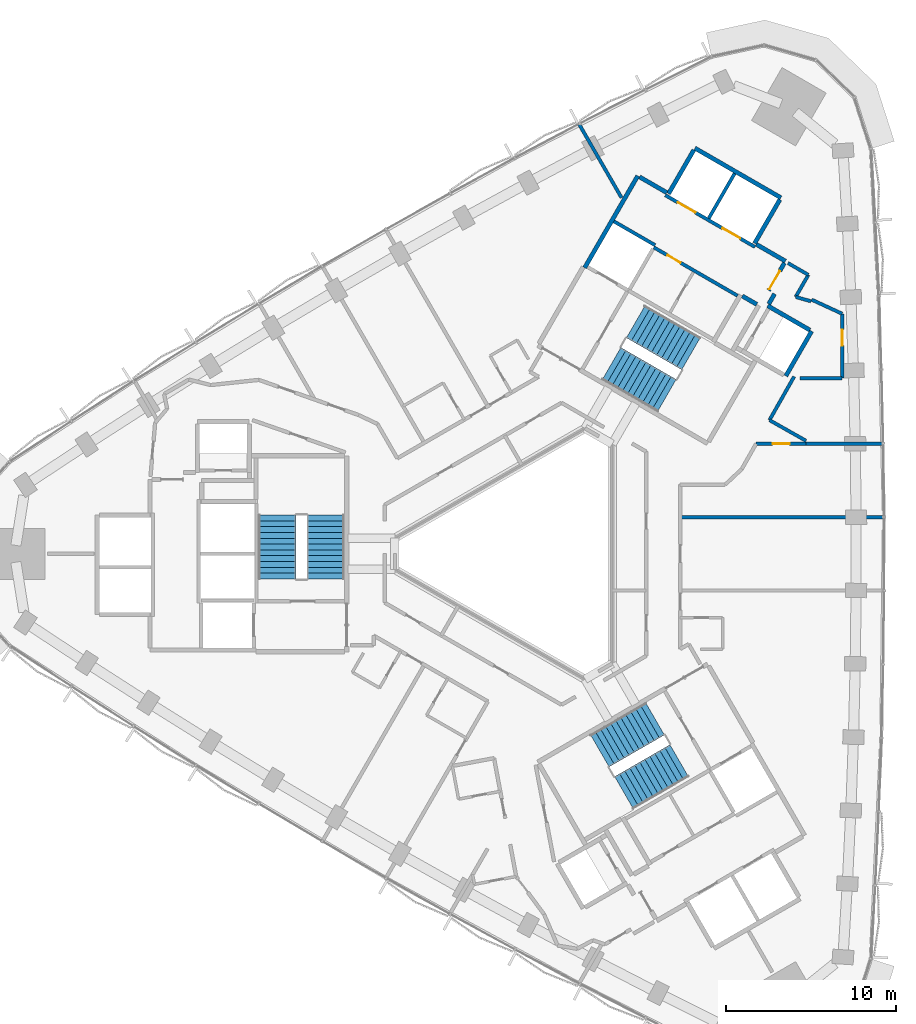
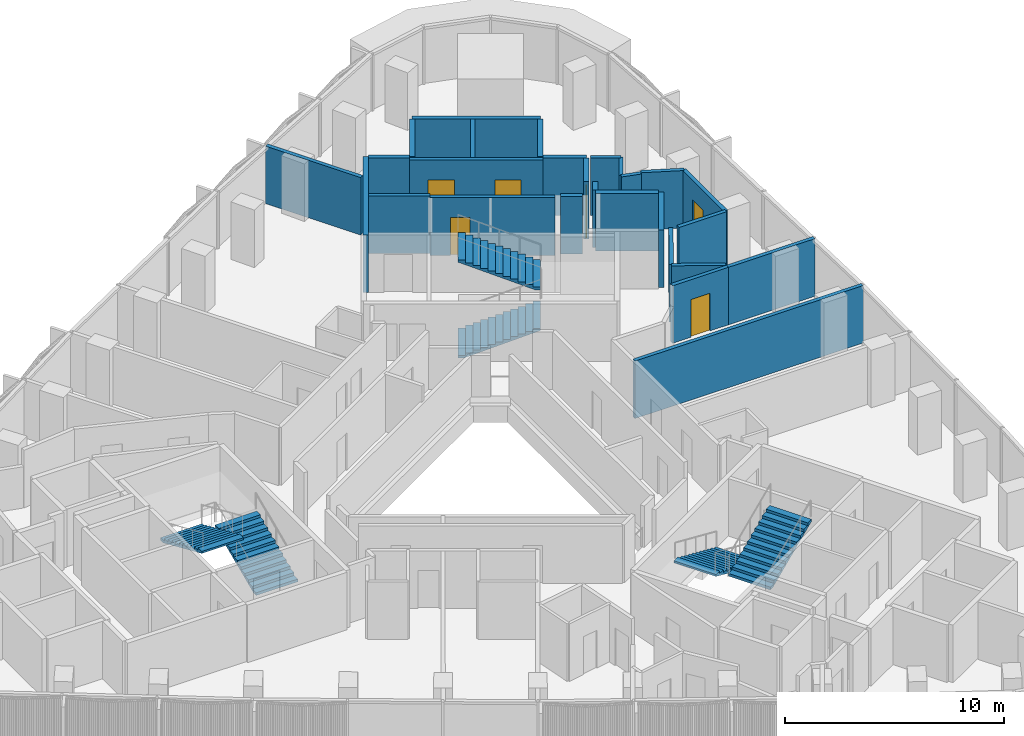
# One storey, part 12 of 15: 27 walls, 6 doors, 6 stair flights, 6 openings, 3 elements without a shape of their own.
"""IFC4 building model written with IfcOpenShell, lengths in metres."""

from ifc_helpers import new_model, si_unit, direction, frame, frame_2d, origin, place, context, subcontext, project, spatial, polyline, rectangle, outline, extrude, material, layer, layer_set, type_object, element, fill, aggregate, save


model = new_model("IFC4")

# Units and contexts
model_context = context("Model", 3, precision=1e-05, world=origin(), true_north=direction((0.0, 1.0)))
body_context = subcontext(model_context, "Body", "Model", "MODEL_VIEW")
ifc_project = project(units=[si_unit("LENGTHUNIT", "METRE"), si_unit("AREAUNIT", "SQUARE_METRE"), si_unit("VOLUMEUNIT", "CUBIC_METRE"), si_unit("PLANEANGLEUNIT", "RADIAN"), si_unit("MASSUNIT", "GRAM", prefix="KILO")], contexts=[model_context])

# Site, building, storey
site_placement = place(None, origin())
site = spatial("IfcSite", under=ifc_project, at=site_placement, CompositionType="ELEMENT")
building_placement = place(site_placement, origin())
building = spatial("IfcBuilding", under=site, at=building_placement, Name="Tamra Quay Hotel Tower", CompositionType="ELEMENT")
storey_placement = place(building_placement, frame((0.0, 0.0, 136.0)))
storey = spatial("IfcBuildingStorey", under=building, at=storey_placement, Name="L33", CompositionType="ELEMENT", Elevation=136.0)

# Wall, openings, doors
ifc_material_1 = material(Name="Concrete M70", Category="concrete")
ifc_layer_1 = layer(ifc_material_1, 0.199951171875)
ifc_layer_set_1 = layer_set([ifc_layer_1], Name="Concrete M70 core wall 200")
wall_type_1 = type_object("IfcWallType", Name="Concrete M70 core wall 200", PredefinedType="SHEAR", material=ifc_layer_set_1)
wall_1_placement = place(storey_placement, frame((13.209716796875, 18.07958984375, 0.0), z_axis=(0.0, 0.0, 1.0), x_axis=(-0.866030299012, 0.499991521122, 0.0)))
wall_1 = element("IfcWall", 1, at=wall_1_placement, inside=storey, type_object=wall_type_1, Name="CW2", PredefinedType="SHEAR", context=body_context, shape_type="SweptSolid", body=[
    extrude(rectangle(XDim=6.10009765625, YDim=0.199951171875, at=frame_2d((3.050048828125, 0.0))), origin(), (0.0, 0.0, 1.0), 3.199951171875),
])
opening_1_placement = place(wall_1_placement, frame((1.0, 0.0, 0.0)))
opening_1 = element("IfcOpeningElement", 2, at=opening_1_placement, cuts=wall_1, Name="Opening LD", PredefinedType="OPENING", context=body_context, shape_type="SweptSolid", body=[
    extrude(rectangle(XDim=1.199951171875, YDim=2.10009765625, at=frame_2d((0.60009765625, 1.050048828125))), frame((0.0, 0.10986328125, 0.0), z_axis=(0.0, -1.0, 0.0), x_axis=(1.0, 0.0, 0.0)), (0.0, 0.0, 1.0), 0.219970703125),
])
opening_2_placement = place(wall_1_placement, frame((4.05029296875, 0.0, 0.0)))
opening_2 = element("IfcOpeningElement", 3, at=opening_2_placement, cuts=wall_1, Name="Opening LD", PredefinedType="OPENING", context=body_context, shape_type="SweptSolid", body=[
    extrude(rectangle(XDim=1.199951171875, YDim=2.10009765625, at=frame_2d((0.60009765625, 1.050048828125))), frame((0.0, 0.10986328125, 0.0), z_axis=(0.0, -1.0, 0.0), x_axis=(1.0, 0.0, 0.0)), (0.0, 0.0, 1.0), 0.219970703125),
])
ifc_material_2 = material(Name="Landing door LD 1200 double door sliding")
door_type_1 = type_object("IfcDoorType", Name="Landing door LD 1200 double door sliding", OperationType="DOUBLE_DOOR_SLIDING", PredefinedType="DOOR", material=ifc_material_2)
door_1_placement = place(opening_1_placement, origin())
door_1 = element("IfcDoor", 4, at=door_1_placement, inside=storey, type_object=door_type_1, Name="LD", OperationType="DOUBLE_DOOR_SLIDING", OverallHeight=2.10009765625, OverallWidth=1.199951171875, PredefinedType="DOOR", context=body_context, shape_type="SweptSolid", body=[
    extrude(rectangle(XDim=1.199951171875, YDim=2.10009765625, at=frame_2d((0.60009765625, 1.050048828125))), frame((0.0, 0.02490234375, 0.0), z_axis=(0.0, -1.0, 0.0), x_axis=(1.0, 0.0, 0.0)), (0.0, 0.0, 1.0), 0.050048828125),
])
fill(opening_1, door_1)
door_2_placement = place(opening_2_placement, origin())
door_2 = element("IfcDoor", 5, at=door_2_placement, inside=storey, type_object=door_type_1, Name="LD", OperationType="DOUBLE_DOOR_SLIDING", OverallHeight=2.10009765625, OverallWidth=1.199951171875, PredefinedType="DOOR", context=body_context, shape_type="SweptSolid", body=[
    extrude(rectangle(XDim=1.199951171875, YDim=2.10009765625, at=frame_2d((0.60009765625, 1.050048828125))), frame((0.0, 0.02490234375, 0.0), z_axis=(0.0, -1.0, 0.0), x_axis=(1.0, 0.0, 0.0)), (0.0, 0.0, 1.0), 0.050048828125),
])
fill(opening_2, door_2)

# Wall, opening, door
wall_2_placement = place(storey_placement, frame((12.18505859375, 15.20703125, 0.0), z_axis=(0.0, 0.0, 1.0), x_axis=(-0.866020080793, 0.500009219579, 0.0)))
wall_2 = element("IfcWall", 6, at=wall_2_placement, inside=storey, type_object=wall_type_1, Name="CW2", PredefinedType="SHEAR", context=body_context, shape_type="SweptSolid", body=[
    extrude(rectangle(XDim=5.69921875, YDim=0.199951171875, at=frame_2d((2.849609375, 0.0))), origin(), (0.0, 0.0, 1.0), 3.199951171875),
])
opening_3_placement = place(wall_2_placement, frame((3.8740234375, 0.0, 0.0)))
opening_3 = element("IfcOpeningElement", 7, at=opening_3_placement, cuts=wall_2, Name="Opening D2", PredefinedType="OPENING", context=body_context, shape_type="SweptSolid", body=[
    extrude(rectangle(XDim=0.89990234375, YDim=2.10009765625, at=frame_2d((0.449951171875, 1.050048828125))), frame((0.0, 0.10986328125, 0.0), z_axis=(0.0, -1.0, 0.0), x_axis=(1.0, 0.0, 0.0)), (0.0, 0.0, 1.0), 0.219970703125),
])
ifc_material_3 = material(Name="Core door D2 900x2100 RH")
door_type_2 = type_object("IfcDoorType", Name="Core door D2 900x2100 RH", OperationType="NOTDEFINED", PredefinedType="DOOR", material=ifc_material_3)
door_3_placement = place(opening_3_placement, origin())
door_3 = element("IfcDoor", 8, at=door_3_placement, inside=storey, type_object=door_type_2, Name="D2", OperationType="SINGLE_SWING_RIGHT", OverallHeight=2.10009765625, OverallWidth=0.89990234375, PredefinedType="DOOR", context=body_context, shape_type="SweptSolid", body=[
    extrude(rectangle(XDim=0.89990234375, YDim=2.10009765625, at=frame_2d((0.449951171875, 1.050048828125))), frame((0.0, 0.02490234375, 0.0), z_axis=(0.0, -1.0, 0.0), x_axis=(1.0, 0.0, 0.0)), (0.0, 0.0, 1.0), 0.050048828125),
])
fill(opening_3, door_3)

# Walls
wall_3_placement = place(storey_placement, frame((10.48876953125, 19.76708984375, 0.0), z_axis=(0.0, 0.0, 1.0), x_axis=(0.499946628782, 0.866056215479, 0.0)))
element("IfcWall", 9, at=wall_3_placement, inside=storey, type_object=wall_type_1, Name="CW2", PredefinedType="SHEAR", context=body_context, shape_type="SweptSolid", body=[
    extrude(rectangle(XDim=3.048095703125, YDim=0.199951171875, at=frame_2d((1.52392578125, 0.0))), origin(), (0.0, 0.0, 1.0), 3.199951171875),
])
wall_4_placement = place(storey_placement, frame((4.900634765625, 19.5859375, 0.0), z_axis=(0.0, 0.0, 1.0), x_axis=(0.866022890907, -0.500004352405, 0.0)))
element("IfcWall", 10, at=wall_4_placement, inside=storey, type_object=wall_type_1, Name="CW2", PredefinedType="SHEAR", context=body_context, shape_type="SweptSolid", body=[
    extrude(rectangle(XDim=2.798828125, YDim=0.199951171875, at=frame_2d((1.3994140625, 0.0))), origin(), (0.0, 0.0, 1.0), 3.199951171875),
])
ifc_layer_2 = layer(ifc_material_1, 0.25)
ifc_layer_set_2 = layer_set([ifc_layer_2], Name="Concrete M70 core wall 250")
wall_type_2 = type_object("IfcWallType", Name="Concrete M70 core wall 250", PredefinedType="SHEAR", material=ifc_layer_set_2)
wall_5_placement = place(storey_placement, frame((3.178955078125, 16.856201171875, 0.0), z_axis=(0.0, 0.0, 1.0), x_axis=(0.500004234368, 0.866022959057, 0.0)))
element("IfcWall", 11, at=wall_5_placement, inside=storey, type_object=wall_type_2, Name="CW1", PredefinedType="SHEAR", context=body_context, shape_type="SweptSolid", body=[
    extrude(rectangle(XDim=6.25, YDim=0.25, at=frame_2d((3.125, 0.0))), origin(), (0.0, 0.0, 1.0), 3.199951171875),
])
wall_6_placement = place(storey_placement, frame((9.672607421875, 23.9033203125, 0.0), z_axis=(0.0, 0.0, 1.0), x_axis=(0.86603616409, -0.499981362141, 0.0)))
element("IfcWall", 12, at=wall_6_placement, inside=storey, type_object=wall_type_2, Name="CW1", PredefinedType="SHEAR", context=body_context, shape_type="SweptSolid", body=[
    extrude(rectangle(XDim=5.849853515625, YDim=0.25, at=frame_2d((2.9248046875, 0.0))), origin(), (0.0, 0.0, 1.0), 3.199951171875),
])
for number, where, z_axis, x_axis, name in (
    (13, (8.12255859375, 21.21875, 0.0), (0.0, 0.0, 1.0), (0.499987686533, 0.866032512851, 0.0), "CW1"),
    (14, (14.67626953125, 20.869873046875, 0.0), (0.0, 0.0, 1.0), (-0.499987686533, -0.866032512851, 0.0), "CW1"),
):
    element("IfcWall", number, at=place(storey_placement, frame(where, z_axis=z_axis, x_axis=x_axis)), inside=storey, type_object=wall_type_2, Name=name, PredefinedType="SHEAR", context=body_context, shape_type="SweptSolid", body=[
        extrude(rectangle(XDim=2.974609375, YDim=0.25, at=frame_2d((1.4873046875, 0.0))), origin(), (0.0, 0.0, 1.0), 3.199951171875),
    ])
wall_7_placement = place(storey_placement, frame((16.552001953125, 13.118896484375, 0.0), z_axis=(0.0, 0.0, 1.0), x_axis=(-0.499978833458, -0.866037623948, 0.0)))
element("IfcWall", 15, at=wall_7_placement, inside=storey, type_object=wall_type_2, Name="CW1", PredefinedType="SHEAR", context=body_context, shape_type="SweptSolid", body=[
    extrude(rectangle(XDim=3.050048828125, YDim=0.25, at=frame_2d((1.52490234375, 0.0))), origin(), (0.0, 0.0, 1.0), 3.199951171875),
])
wall_8_placement = place(storey_placement, frame((13.962646484375, 14.61376953125, 0.0), z_axis=(0.0, 0.0, 1.0), x_axis=(0.866042235819, -0.499970844928, 0.0)))
element("IfcWall", 16, at=wall_8_placement, inside=storey, type_object=wall_type_2, Name="CW1", PredefinedType="SHEAR", context=body_context, shape_type="SweptSolid", body=[
    extrude(rectangle(XDim=2.864501953125, YDim=0.25, at=frame_2d((1.43212890625, 0.0))), origin(), (0.0, 0.0, 1.0), 3.199951171875),
])
wall_9_placement = place(storey_placement, frame((13.29736328125, 18.23095703125, 0.0), z_axis=(0.0, 0.0, 1.0), x_axis=(0.866043531843, -0.499968599967, 0.0)))
element("IfcWall", 17, at=wall_9_placement, inside=storey, type_object=wall_type_2, Name="CW1", PredefinedType="SHEAR", context=body_context, shape_type="SweptSolid", body=[
    extrude(rectangle(XDim=1.974853515625, YDim=0.25, at=frame_2d((0.9873046875, 0.0))), origin(), (0.0, 0.0, 1.0), 3.199951171875),
])
wall_10_placement = place(storey_placement, frame((6.41259765625, 22.2060546875, 0.0), z_axis=(0.0, 0.0, 1.0), x_axis=(0.866016279763, -0.500015802937, 0.0)))
element("IfcWall", 18, at=wall_10_placement, inside=storey, type_object=wall_type_2, Name="CW1", PredefinedType="SHEAR", context=body_context, shape_type="SweptSolid", body=[
    extrude(rectangle(XDim=1.84912109375, YDim=0.25, at=frame_2d((0.924560546875, 0.0))), origin(), (0.0, 0.0, 1.0), 3.199951171875),
])

# Wall, opening, door
wall_11_placement = place(storey_placement, frame((14.94482421875, 17.13525390625, 0.0), z_axis=(0.0, 0.0, 1.0), x_axis=(-0.499983108224, -0.866035156036, 0.0)))
wall_11 = element("IfcWall", 19, at=wall_11_placement, inside=storey, type_object=wall_type_2, Name="CW1", PredefinedType="SHEAR", context=body_context, shape_type="SweptSolid", body=[
    extrude(rectangle(XDim=1.86474609375, YDim=0.25, at=frame_2d((0.932373046875, 0.0))), origin(), (0.0, 0.0, 1.0), 3.199951171875),
])
opening_4_placement = place(wall_11_placement, frame((0.53466796875, 0.0, 0.0)))
opening_4 = element("IfcOpeningElement", 20, at=opening_4_placement, cuts=wall_11, Name="Opening FD3", PredefinedType="OPENING", context=body_context, shape_type="SweptSolid", body=[
    extrude(rectangle(XDim=1.25, YDim=2.10009765625, at=frame_2d((0.625, 1.050048828125))), frame((0.0, 0.135009765625, 0.0), z_axis=(0.0, -1.0, 0.0), x_axis=(1.0, 0.0, 0.0)), (0.0, 0.0, 1.0), 0.27001953125),
])
ifc_material_4 = material(Name="Core door FD3 1250x2100 LH")
door_type_3 = type_object("IfcDoorType", Name="Core door FD3 1250x2100 LH", OperationType="NOTDEFINED", PredefinedType="DOOR", material=ifc_material_4)
door_4_placement = place(opening_4_placement, origin())
door_4 = element("IfcDoor", 21, at=door_4_placement, inside=storey, type_object=door_type_3, Name="FD3", OperationType="SINGLE_SWING_LEFT", OverallHeight=2.10009765625, OverallWidth=1.25, PredefinedType="DOOR", context=body_context, shape_type="SweptSolid", body=[
    extrude(rectangle(XDim=1.25, YDim=2.10009765625, at=frame_2d((0.625, 1.050048828125))), frame((0.0, 0.02490234375, 0.0), z_axis=(0.0, -1.0, 0.0), x_axis=(1.0, 0.0, 0.0)), (0.0, 0.0, 1.0), 0.050048828125),
])
fill(opening_4, door_4)

# Walls
wall_12_placement = place(storey_placement, frame((13.322021484375, 14.695068359375, 0.0), z_axis=(0.0, 0.0, 1.0), x_axis=(-0.866017078145, 0.500014420154, 0.0)))
element("IfcWall", 22, at=wall_12_placement, inside=storey, type_object=wall_type_2, Name="CW1", PredefinedType="SHEAR", context=body_context, shape_type="SweptSolid", body=[
    extrude(rectangle(XDim=0.9892578125, YDim=0.25, at=frame_2d((0.49462890625, 0.0))), origin(), (0.0, 0.0, 1.0), 3.199951171875),
])
wall_13_placement = place(storey_placement, frame((14.36767578125, 15.3154296875, 0.0), z_axis=(0.0, 0.0, 1.0), x_axis=(-0.499897359611, -0.866084655132, 0.0)))
element("IfcWall", 23, at=wall_13_placement, inside=storey, type_object=wall_type_2, Name="CW1", PredefinedType="SHEAR", context=body_context, shape_type="SweptSolid", body=[
    extrude(rectangle(XDim=0.684814453125, YDim=0.25, at=frame_2d((0.34228515625, 0.0))), origin(), (0.0, 0.0, 1.0), 3.199951171875),
])

# Wall, opening, door
ifc_material_5 = material(Name="Partition corridor wall")
ifc_layer_3 = layer(ifc_material_5, 0.199951171875)
ifc_layer_set_3 = layer_set([ifc_layer_3], Name="Partition corridor wall")
wall_type_3 = type_object("IfcWallType", Name="Partition corridor wall", PredefinedType="PARTITIONING", material=ifc_layer_set_3)
wall_14_placement = place(storey_placement, frame((13.279052734375, 6.48388671875, 0.0), z_axis=(0.0, 0.0, 1.0), x_axis=(1.0, 0.0, 0.0)))
wall_14 = element("IfcWall", 24, at=wall_14_placement, inside=storey, type_object=wall_type_3, Name="W-C", PredefinedType="PARTITIONING", context=body_context, shape_type="SweptSolid", body=[
    extrude(rectangle(XDim=2.94287109375, YDim=0.199951171875, at=frame_2d((1.471435546875, 0.0))), origin(), (0.0, 0.0, 1.0), 3.199951171875),
])
opening_5_placement = place(wall_14_placement, frame((0.971435546875, 0.0, 0.0)))
opening_5 = element("IfcOpeningElement", 25, at=opening_5_placement, cuts=wall_14, Name="Opening L33-D004", PredefinedType="OPENING", context=body_context, shape_type="SweptSolid", body=[
    extrude(rectangle(XDim=1.0, YDim=2.10009765625, at=frame_2d((0.5, 1.050048828125))), frame((0.0, 0.10986328125, 0.0), z_axis=(0.0, -1.0, 0.0), x_axis=(1.0, 0.0, 0.0)), (0.0, 0.0, 1.0), 0.219970703125),
])
ifc_material_6 = material(Name="Door guest room 1000x2100")
door_type_4 = type_object("IfcDoorType", Name="Door guest room 1000x2100", OperationType="NOTDEFINED", PredefinedType="DOOR", material=ifc_material_6)
door_5_placement = place(opening_5_placement, frame((1.0, 0.0, 0.0), z_axis=(0.0, 0.0, 1.0), x_axis=(-1.0, 0.0, 0.0)))
door_5 = element("IfcDoor", 26, at=door_5_placement, inside=storey, type_object=door_type_4, Name="L33-D004", OperationType="SINGLE_SWING_LEFT", OverallHeight=2.10009765625, OverallWidth=1.0, PredefinedType="DOOR", context=body_context, shape_type="SweptSolid", body=[
    extrude(rectangle(XDim=1.0, YDim=2.10009765625, at=frame_2d((0.5, 1.050048828125))), frame((0.0, 0.02490234375, 0.0), z_axis=(0.0, -1.0, 0.0), x_axis=(1.0, 0.0, 0.0)), (0.0, 0.0, 1.0), 0.050048828125),
])
fill(opening_5, door_5)

# Walls
wall_15_placement = place(storey_placement, frame((14.06591796875, 7.8759765625, 0.0), z_axis=(0.0, 0.0, 1.0), x_axis=(0.870423351516, -0.492303960105, 0.0)))
element("IfcWall", 27, at=wall_15_placement, inside=storey, type_object=wall_type_3, Name="W-C", PredefinedType="PARTITIONING", context=body_context, shape_type="SweptSolid", body=[
    extrude(rectangle(XDim=2.47802734375, YDim=0.199951171875, at=frame_2d((1.239013671875, 0.0))), origin(), (0.0, 0.0, 1.0), 3.199951171875),
])
wall_16_placement = place(storey_placement, frame((14.066162109375, 7.875732421875, 0.0), z_axis=(0.0, 0.0, 1.0), x_axis=(0.492812174249, 0.870135714077, 0.0)))
element("IfcWall", 28, at=wall_16_placement, inside=storey, type_object=wall_type_3, Name="W-C", PredefinedType="PARTITIONING", context=body_context, shape_type="SweptSolid", body=[
    extrude(rectangle(XDim=2.951171875, YDim=0.199951171875, at=frame_2d((1.4755859375, 0.0))), origin(), (0.0, 0.0, 1.0), 3.199951171875),
])
wall_17_placement = place(storey_placement, frame((15.155517578125, 17.130126953125, 0.0), z_axis=(0.0, 0.0, 1.0), x_axis=(0.865755062894, -0.500467952093, 0.0)))
element("IfcWall", 29, at=wall_17_placement, inside=storey, type_object=wall_type_3, Name="W-C", PredefinedType="PARTITIONING", context=body_context, shape_type="SweptSolid", body=[
    extrude(rectangle(XDim=1.388916015625, YDim=0.199951171875, at=frame_2d((0.6943359375, 0.0))), origin(), (0.0, 0.0, 1.0), 3.199951171875),
])
wall_18_placement = place(storey_placement, frame((15.60888671875, 15.135986328125, 0.0), z_axis=(0.0, 0.0, 1.0), x_axis=(0.499501622561, 0.866312950993, 0.0)))
element("IfcWall", 30, at=wall_18_placement, inside=storey, type_object=wall_type_3, Name="W-C", PredefinedType="PARTITIONING", context=body_context, shape_type="SweptSolid", body=[
    extrude(rectangle(XDim=1.49951171875, YDim=0.199951171875, at=frame_2d((0.749755859375, 0.0))), origin(), (0.0, 0.0, 1.0), 3.199951171875),
])
wall_19_placement = place(storey_placement, frame((15.60888671875, 15.135986328125, 0.0), z_axis=(0.0, 0.0, 1.0), x_axis=(0.961592512205, -0.274481038455, 0.0)))
element("IfcWall", 31, at=wall_19_placement, inside=storey, type_object=wall_type_3, Name="W-C", PredefinedType="PARTITIONING", context=body_context, shape_type="SweptSolid", body=[
    extrude(rectangle(XDim=0.940185546875, YDim=0.199951171875, at=frame_2d((0.47021484375, 0.0))), origin(), (0.0, 0.0, 1.0), 3.199951171875),
])
wall_20_placement = place(storey_placement, frame((15.85009765625, 10.35009765625, 0.0), z_axis=(0.0, 0.0, 1.0), x_axis=(1.0, 0.0, 0.0)))
element("IfcWall", 32, at=wall_20_placement, inside=storey, type_object=wall_type_3, Name="W-C", PredefinedType="PARTITIONING", context=body_context, shape_type="SweptSolid", body=[
    extrude(rectangle(XDim=2.5, YDim=0.199951171875, at=frame_2d((1.25, 0.0))), origin(), (0.0, 0.0, 1.0), 3.199951171875),
])
wall_21_placement = place(storey_placement, frame((16.555908203125, 14.971923828125, 0.0), z_axis=(0.0, 0.0, 1.0), x_axis=(0.907999158806, -0.418971989048, 0.0)))
element("IfcWall", 33, at=wall_21_placement, inside=storey, type_object=wall_type_3, Name="W-C", PredefinedType="PARTITIONING", context=body_context, shape_type="SweptSolid", body=[
    extrude(rectangle(XDim=1.97607421875, YDim=0.199951171875, at=frame_2d((0.988037109375, 0.0))), origin(), (0.0, 0.0, 1.0), 3.199951171875),
])

# Wall, opening, door
wall_22_placement = place(storey_placement, frame((18.35009765625, 10.35009765625, 0.0), z_axis=(0.0, 0.0, 1.0), x_axis=(0.0, 1.0, 0.0)))
wall_22 = element("IfcWall", 34, at=wall_22_placement, inside=storey, type_object=wall_type_3, Name="W-C", PredefinedType="PARTITIONING", context=body_context, shape_type="SweptSolid", body=[
    extrude(rectangle(XDim=3.7939453125, YDim=0.199951171875, at=frame_2d((1.89697265625, 0.0))), origin(), (0.0, 0.0, 1.0), 3.199951171875),
])
opening_6_placement = place(wall_22_placement, frame((1.910888671875, 0.0, 0.0)))
opening_6 = element("IfcOpeningElement", 35, at=opening_6_placement, cuts=wall_22, Name="Opening L33-D005", PredefinedType="OPENING", context=body_context, shape_type="SweptSolid", body=[
    extrude(rectangle(XDim=0.949951171875, YDim=2.10009765625, at=frame_2d((0.47509765625, 1.050048828125))), frame((0.0, 0.10986328125, 0.0), z_axis=(0.0, -1.0, 0.0), x_axis=(1.0, 0.0, 0.0)), (0.0, 0.0, 1.0), 0.219970703125),
])
ifc_material_7 = material(Name="Door guest room 950x2100")
door_type_5 = type_object("IfcDoorType", Name="Door guest room 950x2100", OperationType="NOTDEFINED", PredefinedType="DOOR", material=ifc_material_7)
door_6_placement = place(opening_6_placement, origin())
door_6 = element("IfcDoor", 36, at=door_6_placement, inside=storey, type_object=door_type_5, Name="L33-D005", OperationType="SINGLE_SWING_LEFT", OverallHeight=2.10009765625, OverallWidth=0.949951171875, PredefinedType="DOOR", context=body_context, shape_type="SweptSolid", body=[
    extrude(rectangle(XDim=0.949951171875, YDim=2.10009765625, at=frame_2d((0.47509765625, 1.050048828125))), frame((0.0, 0.02490234375, 0.0), z_axis=(0.0, -1.0, 0.0), x_axis=(1.0, 0.0, 0.0)), (0.0, 0.0, 1.0), 0.050048828125),
])
fill(opening_6, door_6)

# Walls
ifc_material_8 = material(Name="Partition party wall")
ifc_layer_4 = layer(ifc_material_8, 0.199951171875)
ifc_layer_set_4 = layer_set([ifc_layer_4], Name="Partition party wall")
wall_type_4 = type_object("IfcWallType", Name="Partition party wall", PredefinedType="PARTITIONING", material=ifc_layer_set_4)
wall_23_placement = place(storey_placement, frame((2.845458984375, 25.321044921875, 0.0), z_axis=(0.0, 0.0, 1.0), x_axis=(0.499730893997, -0.86618071647, 0.0)))
element("IfcWall", 37, at=wall_23_placement, inside=storey, type_object=wall_type_4, Name="W-P", PredefinedType="PARTITIONING", context=body_context, shape_type="SweptSolid", body=[
    extrude(rectangle(XDim=5.008056640625, YDim=0.199951171875, at=frame_2d((2.50390625, 0.0))), origin(), (0.0, 0.0, 1.0), 3.199951171875),
])
wall_24_placement = place(storey_placement, frame((8.800048828125, 2.160888671875, 0.0), z_axis=(0.0, 0.0, 1.0), x_axis=(1.0, 0.0, 0.0)))
element("IfcWall", 38, at=wall_24_placement, inside=storey, type_object=wall_type_4, Name="W-P", PredefinedType="PARTITIONING", context=body_context, shape_type="SweptSolid", body=[
    extrude(rectangle(XDim=12.0146484375, YDim=0.199951171875, at=frame_2d((6.00732421875, 0.0))), origin(), (0.0, 0.0, 1.0), 3.199951171875),
])
wall_25_placement = place(storey_placement, frame((16.2099609375, 6.48388671875, 0.0), z_axis=(0.0, 0.0, 1.0), x_axis=(1.0, 0.0, 0.0)))
element("IfcWall", 39, at=wall_25_placement, inside=storey, type_object=wall_type_4, Name="W-P", PredefinedType="PARTITIONING", context=body_context, shape_type="SweptSolid", body=[
    extrude(rectangle(XDim=4.55322265625, YDim=0.199951171875, at=frame_2d((2.276611328125, 0.0))), origin(), (0.0, 0.0, 1.0), 3.199951171875),
])

# Stair, stair flights
ifc_material_9 = material(Name="Exit stair 2200 24 risers 150.0 going 342")
stair_type = type_object("IfcStairType", Name="Exit stair 2200 24 risers 150.0 going 342", PredefinedType="HALF_TURN_STAIR", material=ifc_material_9)
stair_1_placement = place(storey_placement, origin())
stair_1 = element("IfcStair", 40, at=stair_1_placement, inside=storey, type_object=stair_type, Name="L33 Exit stair ST3", PredefinedType="HALF_TURN_STAIR")
ifc_material_10 = material(Name="Exit stair flight 2200 12 risers 150.0")
stair_flight_type = type_object("IfcStairFlightType", Name="Exit stair flight 2200 12 risers 150.0", PredefinedType="STRAIGHT", material=ifc_material_10)
stair_flight_1_placement = place(storey_placement, frame((-12.082275390625, -1.47998046875, 0.0), z_axis=(0.0, 0.0, 1.0), x_axis=(0.0, 1.0, 0.0)))
stair_flight_1 = element("IfcStairFlight", 41, at=stair_flight_1_placement, type_object=stair_flight_type, Name="ST3 flight 1", NumberOfRisers=12, NumberOfTreads=11, PredefinedType="STRAIGHT", RiserHeight=0.15, TreadLength=0.342, context=body_context, shape_type="SweptSolid", body=[
    extrude(outline(polyline([(0.0, 0.0), (0.0, 0.14990234375), (0.342041015625, 0.14990234375), (0.342041015625, 0.300048828125), (0.68408203125, 0.300048828125), (0.68408203125, 0.449951171875), (1.02587890625, 0.449951171875), (1.02587890625, 0.60009765625), (1.367919921875, 0.60009765625), (1.367919921875, 0.75), (1.7099609375, 0.75), (1.7099609375, 0.89990234375), (2.052001953125, 0.89990234375), (2.052001953125, 1.050048828125), (2.39404296875, 1.050048828125), (2.39404296875, 1.199951171875), (2.736083984375, 1.199951171875), (2.736083984375, 1.35009765625), (3.077880859375, 1.35009765625), (3.077880859375, 1.5), (3.419921875, 1.5), (3.419921875, 1.64990234375), (3.761962890625, 1.64990234375), (3.761962890625, 1.800048828125), (3.761962890625, 1.540771484375), (0.249267578125, 0.0), (0.0, 0.0)])), frame((0.0, 1.10009765625, 0.0), z_axis=(0.0, -1.0, 0.0), x_axis=(1.0, 0.0, 0.0)), (0.0, 0.0, 1.0), 2.199951171875),
])
stair_flight_2_placement = place(storey_placement, frame((-14.94140625, 2.281982421875, 1.800048828125), z_axis=(0.0, 0.0, 1.0), x_axis=(0.0, -1.0, 0.0)))
stair_flight_2 = element("IfcStairFlight", 42, at=stair_flight_2_placement, type_object=stair_flight_type, Name="ST3 flight 2", NumberOfRisers=12, NumberOfTreads=11, PredefinedType="STRAIGHT", RiserHeight=0.15, TreadLength=0.342, context=body_context, shape_type="SweptSolid", body=[
    extrude(outline(polyline([(0.0, 0.0), (0.0, 0.14990234375), (0.342041015625, 0.14990234375), (0.342041015625, 0.300048828125), (0.68408203125, 0.300048828125), (0.68408203125, 0.449951171875), (1.02587890625, 0.449951171875), (1.02587890625, 0.60009765625), (1.367919921875, 0.60009765625), (1.367919921875, 0.75), (1.7099609375, 0.75), (1.7099609375, 0.89990234375), (2.052001953125, 0.89990234375), (2.052001953125, 1.050048828125), (2.39404296875, 1.050048828125), (2.39404296875, 1.199951171875), (2.736083984375, 1.199951171875), (2.736083984375, 1.35009765625), (3.077880859375, 1.35009765625), (3.077880859375, 1.5), (3.419921875, 1.5), (3.419921875, 1.64990234375), (3.761962890625, 1.64990234375), (3.761962890625, 1.800048828125), (3.761962890625, 1.540771484375), (0.249267578125, 0.0), (0.0, 0.0)])), frame((0.0, 1.10009765625, 0.0), z_axis=(0.0, -1.0, 0.0), x_axis=(1.0, 0.0, 0.0)), (0.0, 0.0, 1.0), 2.199951171875),
])
aggregate(stair_1, [stair_flight_1, stair_flight_2])

stair_2_placement = place(storey_placement, origin())
stair_2 = element("IfcStair", 43, at=stair_2_placement, inside=storey, type_object=stair_type, Name="L33 Exit stair ST1", PredefinedType="HALF_TURN_STAIR")
stair_flight_3_placement = place(storey_placement, frame((4.75927734375, 11.20361328125, 0.0), z_axis=(0.0, 0.0, 1.0), x_axis=(0.866025403784, -0.5, 0.0)))
stair_flight_3 = element("IfcStairFlight", 44, at=stair_flight_3_placement, type_object=stair_flight_type, Name="ST1 flight 1", NumberOfRisers=12, NumberOfTreads=11, PredefinedType="STRAIGHT", RiserHeight=0.15, TreadLength=0.342, context=body_context, shape_type="SweptSolid", body=[
    extrude(outline(polyline([(0.0, 0.0), (0.0, 0.14990234375), (0.342041015625, 0.14990234375), (0.342041015625, 0.300048828125), (0.68408203125, 0.300048828125), (0.68408203125, 0.449951171875), (1.02587890625, 0.449951171875), (1.02587890625, 0.60009765625), (1.367919921875, 0.60009765625), (1.367919921875, 0.75), (1.7099609375, 0.75), (1.7099609375, 0.89990234375), (2.052001953125, 0.89990234375), (2.052001953125, 1.050048828125), (2.39404296875, 1.050048828125), (2.39404296875, 1.199951171875), (2.736083984375, 1.199951171875), (2.736083984375, 1.35009765625), (3.077880859375, 1.35009765625), (3.077880859375, 1.5), (3.419921875, 1.5), (3.419921875, 1.64990234375), (3.761962890625, 1.64990234375), (3.761962890625, 1.800048828125), (3.761962890625, 1.540771484375), (0.249267578125, 0.0), (0.0, 0.0)])), frame((0.0, 1.10009765625, 0.0), z_axis=(0.0, -1.0, 0.0), x_axis=(1.0, 0.0, 0.0)), (0.0, 0.0, 1.0), 2.199951171875),
])
stair_flight_4_placement = place(storey_placement, frame((9.44677734375, 11.798583984375, 1.800048828125), z_axis=(0.0, 0.0, 1.0), x_axis=(-0.866025403784, 0.5, 0.0)))
stair_flight_4 = element("IfcStairFlight", 45, at=stair_flight_4_placement, type_object=stair_flight_type, Name="ST1 flight 2", NumberOfRisers=12, NumberOfTreads=11, PredefinedType="STRAIGHT", RiserHeight=0.15, TreadLength=0.342, context=body_context, shape_type="SweptSolid", body=[
    extrude(outline(polyline([(0.0, 0.0), (0.0, 0.14990234375), (0.342041015625, 0.14990234375), (0.342041015625, 0.300048828125), (0.68408203125, 0.300048828125), (0.68408203125, 0.449951171875), (1.02587890625, 0.449951171875), (1.02587890625, 0.60009765625), (1.367919921875, 0.60009765625), (1.367919921875, 0.75), (1.7099609375, 0.75), (1.7099609375, 0.89990234375), (2.052001953125, 0.89990234375), (2.052001953125, 1.050048828125), (2.39404296875, 1.050048828125), (2.39404296875, 1.199951171875), (2.736083984375, 1.199951171875), (2.736083984375, 1.35009765625), (3.077880859375, 1.35009765625), (3.077880859375, 1.5), (3.419921875, 1.5), (3.419921875, 1.64990234375), (3.761962890625, 1.64990234375), (3.761962890625, 1.800048828125), (3.761962890625, 1.540771484375), (0.249267578125, 0.0), (0.0, 0.0)])), frame((0.0, 1.10009765625, 0.0), z_axis=(0.0, -1.0, 0.0), x_axis=(1.0, 0.0, 0.0)), (0.0, 0.0, 1.0), 2.199951171875),
])
aggregate(stair_2, [stair_flight_3, stair_flight_4])

stair_3_placement = place(storey_placement, origin())
stair_3 = element("IfcStair", 46, at=stair_3_placement, inside=storey, type_object=stair_type, Name="L33 Exit stair ST2", PredefinedType="HALF_TURN_STAIR")
stair_flight_5_placement = place(storey_placement, frame((7.322998046875, -9.7236328125, 0.0), z_axis=(0.0, 0.0, 1.0), x_axis=(-0.866025403784, -0.5, 0.0)))
stair_flight_5 = element("IfcStairFlight", 47, at=stair_flight_5_placement, type_object=stair_flight_type, Name="ST2 flight 1", NumberOfRisers=12, NumberOfTreads=11, PredefinedType="STRAIGHT", RiserHeight=0.15, TreadLength=0.342, context=body_context, shape_type="SweptSolid", body=[
    extrude(outline(polyline([(0.0, 0.0), (0.0, 0.14990234375), (0.342041015625, 0.14990234375), (0.342041015625, 0.300048828125), (0.68408203125, 0.300048828125), (0.68408203125, 0.449951171875), (1.02587890625, 0.449951171875), (1.02587890625, 0.60009765625), (1.367919921875, 0.60009765625), (1.367919921875, 0.75), (1.7099609375, 0.75), (1.7099609375, 0.89990234375), (2.052001953125, 0.89990234375), (2.052001953125, 1.050048828125), (2.39404296875, 1.050048828125), (2.39404296875, 1.199951171875), (2.736083984375, 1.199951171875), (2.736083984375, 1.35009765625), (3.077880859375, 1.35009765625), (3.077880859375, 1.5), (3.419921875, 1.5), (3.419921875, 1.64990234375), (3.761962890625, 1.64990234375), (3.761962890625, 1.800048828125), (3.761962890625, 1.540771484375), (0.249267578125, 0.0), (0.0, 0.0)])), frame((0.0, 1.10009765625, 0.0), z_axis=(0.0, -1.0, 0.0), x_axis=(1.0, 0.0, 0.0)), (0.0, 0.0, 1.0), 2.199951171875),
])
stair_flight_6_placement = place(storey_placement, frame((5.494384765625, -14.08056640625, 1.800048828125), z_axis=(0.0, 0.0, 1.0), x_axis=(0.866025403784, 0.5, 0.0)))
stair_flight_6 = element("IfcStairFlight", 48, at=stair_flight_6_placement, type_object=stair_flight_type, Name="ST2 flight 2", NumberOfRisers=12, NumberOfTreads=11, PredefinedType="STRAIGHT", RiserHeight=0.15, TreadLength=0.342, context=body_context, shape_type="SweptSolid", body=[
    extrude(outline(polyline([(0.0, 0.0), (0.0, 0.14990234375), (0.342041015625, 0.14990234375), (0.342041015625, 0.300048828125), (0.68408203125, 0.300048828125), (0.68408203125, 0.449951171875), (1.02587890625, 0.449951171875), (1.02587890625, 0.60009765625), (1.367919921875, 0.60009765625), (1.367919921875, 0.75), (1.7099609375, 0.75), (1.7099609375, 0.89990234375), (2.052001953125, 0.89990234375), (2.052001953125, 1.050048828125), (2.39404296875, 1.050048828125), (2.39404296875, 1.199951171875), (2.736083984375, 1.199951171875), (2.736083984375, 1.35009765625), (3.077880859375, 1.35009765625), (3.077880859375, 1.5), (3.419921875, 1.5), (3.419921875, 1.64990234375), (3.761962890625, 1.64990234375), (3.761962890625, 1.800048828125), (3.761962890625, 1.540771484375), (0.249267578125, 0.0), (0.0, 0.0)])), frame((0.0, 1.10009765625, 0.0), z_axis=(0.0, -1.0, 0.0), x_axis=(1.0, 0.0, 0.0)), (0.0, 0.0, 1.0), 2.199951171875),
])
aggregate(stair_3, [stair_flight_5, stair_flight_6])

save(model, "model.ifc")
